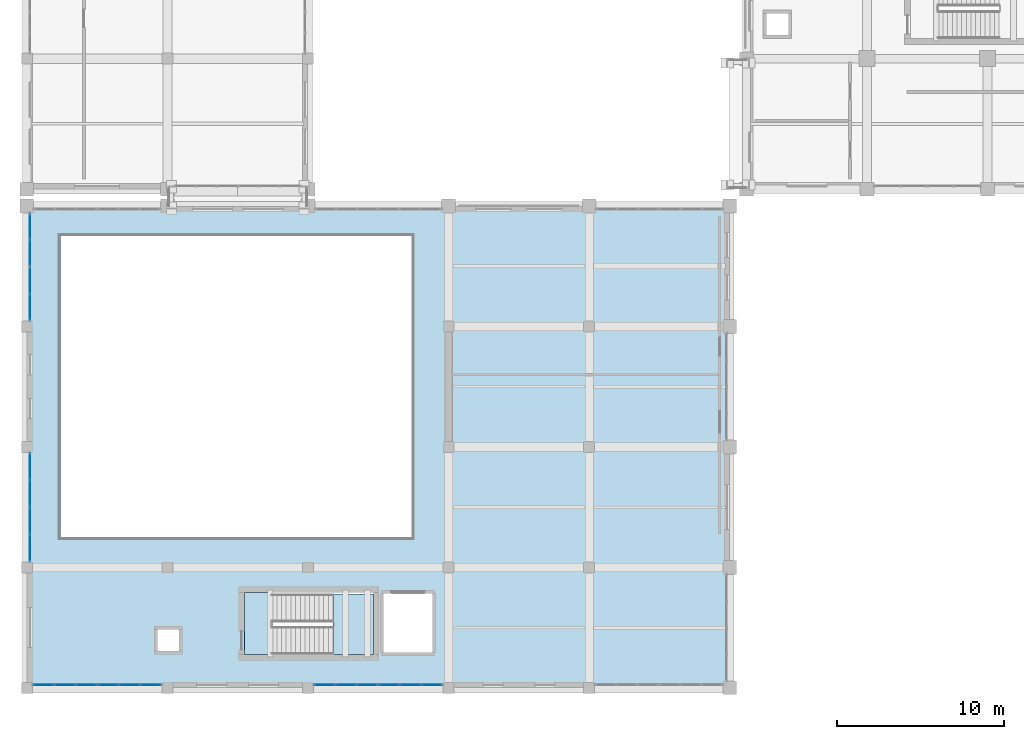
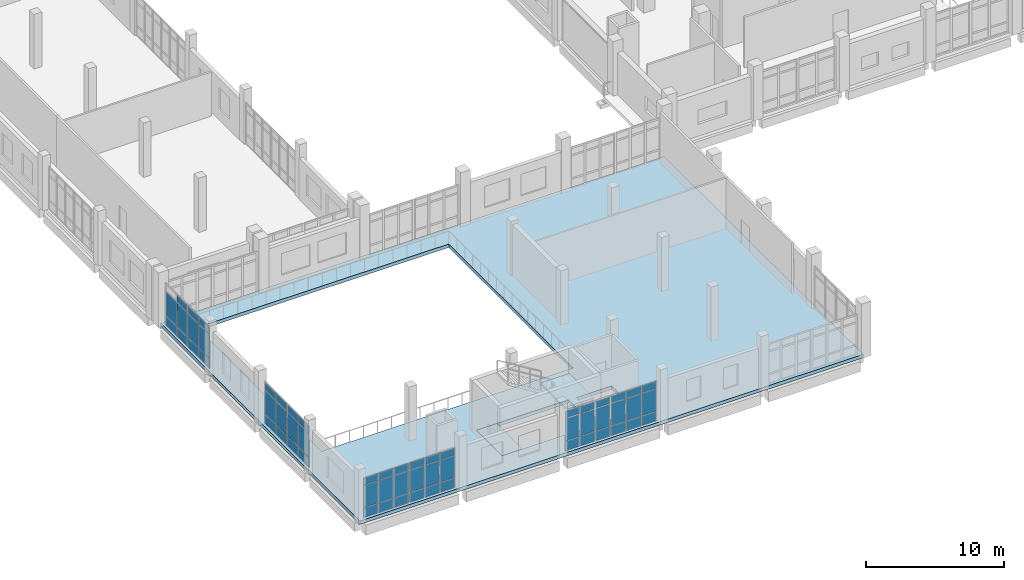
# One storey, part 46 of 90: 59 plates, 3 slabs, 9 elements without a shape of their own.
"""IFC4 building model written with IfcOpenShell, lengths in metres."""

from ifc_helpers import new_model, si_unit, direction, frame, origin, origin_2d, place, context, subcontext, project, spatial, polyline, rectangle, outline, extrude, material, layer, layer_set, type_object, element, aggregate, save


model = new_model("IFC4")

# Units and contexts
model_context = context("Model", 3, precision=1e-05, world=origin(), true_north=direction((0.0, 1.0)))
body_context = subcontext(model_context, "Body", "Model", "MODEL_VIEW")
ifc_project = project(units=[si_unit("LENGTHUNIT", "METRE"), si_unit("AREAUNIT", "SQUARE_METRE"), si_unit("VOLUMEUNIT", "CUBIC_METRE"), si_unit("PLANEANGLEUNIT", "RADIAN"), si_unit("MASSUNIT", "GRAM", prefix="KILO")], contexts=[model_context])

# Site, building, storey
site_placement = place(None, origin())
site = spatial("IfcSite", under=ifc_project, at=site_placement, CompositionType="ELEMENT")
building_placement = place(site_placement, origin())
building = spatial("IfcBuilding", under=site, at=building_placement, Name="Kelarvand Opera House", CompositionType="ELEMENT")
storey_placement = place(building_placement, frame((0.0, 0.0, 5.39990234375)))
storey = spatial("IfcBuildingStorey", under=building, at=storey_placement, Name="L01", CompositionType="ELEMENT", Elevation=5.39990234375)

# Slab
ifc_material_1 = material(Name="Concrete C35/45", Category="concrete")
ifc_layer_1 = layer(ifc_material_1, 0.219970703125, Name="Concrete C35/45", Category="concrete")
ifc_layer_set_1 = layer_set([ifc_layer_1], Name="Concrete C35/45")
slab_type_1 = type_object("IfcSlabType", Name="Core Stair Entry Landing Slab 220", PredefinedType="LANDING", material=ifc_layer_set_1)
slab_1_placement = place(storey_placement, frame((0.0, 0.0, -0.219970703125)))
element("IfcSlab", 1, at=slab_1_placement, inside=storey, type_object=slab_type_1, Name="C6 Stair Entry Landing L01", PredefinedType="LANDING", context=body_context, shape_type="SweptSolid", body=[
    extrude(outline(polyline([(22.0, 11.0), (23.719970703125, 11.0), (23.719970703125, 14.699951171875), (22.0, 14.699951171875), (22.0, 11.0)])), origin(), (0.0, 0.0, 1.0), 0.219970703125),
])

# Curtain wall, plates
ifc_material_2 = material(Name="Thermally broken aluminium and low-E glazing", Category="aluminium")
ifc_layer_2 = layer(ifc_material_2, 0.179931640625, Name="Thermally broken aluminium and low-E glazing", Category="aluminium")
ifc_layer_set_2 = layer_set([ifc_layer_2], Name="Thermally broken aluminium and low-E glazing")
curtain_wall_type_1 = type_object("IfcCurtainWallType", Name="Unitised Low-E Curtain Wall 3261x3750 Mod 1350 CWF-26", PredefinedType="USERDEFINED", material=ifc_layer_set_2)
curtain_wall_1_placement = place(storey_placement, origin())
curtain_wall_1 = element("IfcCurtainWall", 2, at=curtain_wall_1_placement, inside=storey, type_object=curtain_wall_type_1, Name="V4 L01 Curtain Wall CWF-26 (119)", ObjectType="UNITISED CURTAIN WALL", PredefinedType="USERDEFINED")
ifc_material_3 = material(Name="Low-E laminated double glazing", Category="glass")
ifc_layer_3 = layer(ifc_material_3, 0.031982421875, Name="Low-E laminated double glazing", Category="glass")
ifc_layer_set_3 = layer_set([ifc_layer_3], Name="Low-E laminated double glazing")
plate_type = type_object("IfcPlateType", Name="Low-E Argon Double Glazed Curtain Panel 32mm", PredefinedType="CURTAIN_PANEL", material=ifc_layer_set_3)
plate_1_placement = place(storey_placement, frame((9.179931640625, 17.366455078125, 0.06494140625), z_axis=(0.0, 0.0, 1.0), x_axis=(0.0, 1.0, 0.0)))
plate_1 = element("IfcPlate", 3, at=plate_1_placement, type_object=plate_type, Name="CWF-26 panel 1.1", PredefinedType="CURTAIN_PANEL", context=body_context, shape_type="SweptSolid", body=[
    extrude(rectangle(XDim=1.532958984375, YDim=0.031982421875, at=origin_2d()), origin(), (0.0, 0.0, 1.0), 0.802490234375),
])
plate_2_placement = place(storey_placement, frame((9.179931640625, 17.366455078125, 0.9326171875), z_axis=(0.0, 0.0, 1.0), x_axis=(0.0, 1.0, 0.0)))
plate_2 = element("IfcPlate", 4, at=plate_2_placement, type_object=plate_type, Name="CWF-26 panel 1.2", PredefinedType="CURTAIN_PANEL", context=body_context, shape_type="SweptSolid", body=[
    extrude(rectangle(XDim=1.532958984375, YDim=0.031982421875, at=origin_2d()), origin(), (0.0, 0.0, 1.0), 2.0849609375),
])
plate_3_placement = place(storey_placement, frame((9.179931640625, 17.366455078125, 3.08251953125), z_axis=(0.0, 0.0, 1.0), x_axis=(0.0, 1.0, 0.0)))
plate_3 = element("IfcPlate", 5, at=plate_3_placement, type_object=plate_type, Name="CWF-26 panel 1.3", PredefinedType="CURTAIN_PANEL", context=body_context, shape_type="SweptSolid", body=[
    extrude(rectangle(XDim=1.532958984375, YDim=0.031982421875, at=origin_2d()), origin(), (0.0, 0.0, 1.0), 0.6025390625),
])
plate_4_placement = place(storey_placement, frame((9.179931640625, 18.964599609375, 0.06494140625), z_axis=(0.0, 0.0, 1.0), x_axis=(0.0, 1.0, 0.0)))
plate_4 = element("IfcPlate", 6, at=plate_4_placement, type_object=plate_type, Name="CWF-26 panel 2.1", PredefinedType="CURTAIN_PANEL", context=body_context, shape_type="SweptSolid", body=[
    extrude(rectangle(XDim=1.532958984375, YDim=0.031982421875, at=origin_2d()), origin(), (0.0, 0.0, 1.0), 0.802490234375),
])
plate_5_placement = place(storey_placement, frame((9.179931640625, 18.964599609375, 0.9326171875), z_axis=(0.0, 0.0, 1.0), x_axis=(0.0, 1.0, 0.0)))
plate_5 = element("IfcPlate", 7, at=plate_5_placement, type_object=plate_type, Name="CWF-26 panel 2.2", PredefinedType="CURTAIN_PANEL", context=body_context, shape_type="SweptSolid", body=[
    extrude(rectangle(XDim=1.532958984375, YDim=0.031982421875, at=origin_2d()), origin(), (0.0, 0.0, 1.0), 2.0849609375),
])
plate_6_placement = place(storey_placement, frame((9.179931640625, 18.964599609375, 3.08251953125), z_axis=(0.0, 0.0, 1.0), x_axis=(0.0, 1.0, 0.0)))
plate_6 = element("IfcPlate", 8, at=plate_6_placement, type_object=plate_type, Name="CWF-26 panel 2.3", PredefinedType="CURTAIN_PANEL", context=body_context, shape_type="SweptSolid", body=[
    extrude(rectangle(XDim=1.532958984375, YDim=0.031982421875, at=origin_2d()), origin(), (0.0, 0.0, 1.0), 0.6025390625),
])
aggregate(curtain_wall_1, [plate_1, plate_2, plate_3, plate_4, plate_5, plate_6])

curtain_wall_2_placement = place(storey_placement, origin())
curtain_wall_2 = element("IfcCurtainWall", 9, at=curtain_wall_2_placement, inside=storey, type_object=curtain_wall_type_1, Name="V4 L01 Curtain Wall CWF-26 (120)", ObjectType="UNITISED CURTAIN WALL", PredefinedType="USERDEFINED")
plate_7_placement = place(storey_placement, frame((9.179931640625, 20.632568359375, 0.06494140625), z_axis=(0.0, 0.0, 1.0), x_axis=(0.0, 1.0, 0.0)))
plate_7 = element("IfcPlate", 10, at=plate_7_placement, type_object=plate_type, Name="CWF-26 panel 1.1", PredefinedType="CURTAIN_PANEL", context=body_context, shape_type="SweptSolid", body=[
    extrude(rectangle(XDim=1.534912109375, YDim=0.031982421875, at=origin_2d()), origin(), (0.0, 0.0, 1.0), 0.802490234375),
])
plate_8_placement = place(storey_placement, frame((9.179931640625, 20.632568359375, 0.9326171875), z_axis=(0.0, 0.0, 1.0), x_axis=(0.0, 1.0, 0.0)))
plate_8 = element("IfcPlate", 11, at=plate_8_placement, type_object=plate_type, Name="CWF-26 panel 1.2", PredefinedType="CURTAIN_PANEL", context=body_context, shape_type="SweptSolid", body=[
    extrude(rectangle(XDim=1.534912109375, YDim=0.031982421875, at=origin_2d()), origin(), (0.0, 0.0, 1.0), 2.0849609375),
])
plate_9_placement = place(storey_placement, frame((9.179931640625, 20.632568359375, 3.08251953125), z_axis=(0.0, 0.0, 1.0), x_axis=(0.0, 1.0, 0.0)))
plate_9 = element("IfcPlate", 12, at=plate_9_placement, type_object=plate_type, Name="CWF-26 panel 1.3", PredefinedType="CURTAIN_PANEL", context=body_context, shape_type="SweptSolid", body=[
    extrude(rectangle(XDim=1.534912109375, YDim=0.031982421875, at=origin_2d()), origin(), (0.0, 0.0, 1.0), 0.6025390625),
])
plate_10_placement = place(storey_placement, frame((9.179931640625, 22.232421875, 0.06494140625), z_axis=(0.0, 0.0, 1.0), x_axis=(0.0, 1.0, 0.0)))
plate_10 = element("IfcPlate", 13, at=plate_10_placement, type_object=plate_type, Name="CWF-26 panel 2.1", PredefinedType="CURTAIN_PANEL", context=body_context, shape_type="SweptSolid", body=[
    extrude(rectangle(XDim=1.534912109375, YDim=0.031982421875, at=origin_2d()), origin(), (0.0, 0.0, 1.0), 0.802490234375),
])
plate_11_placement = place(storey_placement, frame((9.179931640625, 22.232421875, 0.9326171875), z_axis=(0.0, 0.0, 1.0), x_axis=(0.0, 1.0, 0.0)))
plate_11 = element("IfcPlate", 14, at=plate_11_placement, type_object=plate_type, Name="CWF-26 panel 2.2", PredefinedType="CURTAIN_PANEL", context=body_context, shape_type="SweptSolid", body=[
    extrude(rectangle(XDim=1.534912109375, YDim=0.031982421875, at=origin_2d()), origin(), (0.0, 0.0, 1.0), 2.0849609375),
])
plate_12_placement = place(storey_placement, frame((9.179931640625, 22.232421875, 3.08251953125), z_axis=(0.0, 0.0, 1.0), x_axis=(0.0, 1.0, 0.0)))
plate_12 = element("IfcPlate", 15, at=plate_12_placement, type_object=plate_type, Name="CWF-26 panel 2.3", PredefinedType="CURTAIN_PANEL", context=body_context, shape_type="SweptSolid", body=[
    extrude(rectangle(XDim=1.534912109375, YDim=0.031982421875, at=origin_2d()), origin(), (0.0, 0.0, 1.0), 0.6025390625),
])
aggregate(curtain_wall_2, [plate_7, plate_8, plate_9, plate_10, plate_11, plate_12])

ifc_layer_4 = layer(ifc_material_2, 0.179931640625, Name="Thermally broken aluminium and low-E glazing", Category="aluminium")
ifc_layer_set_4 = layer_set([ifc_layer_4], Name="Thermally broken aluminium and low-E glazing")
curtain_wall_type_2 = type_object("IfcCurtainWallType", Name="Unitised Low-E Curtain Wall 3176x3730 Mod 1350 CWF-10", PredefinedType="USERDEFINED", material=ifc_layer_set_4)
curtain_wall_3_placement = place(storey_placement, origin())
curtain_wall_3 = element("IfcCurtainWall", 16, at=curtain_wall_3_placement, inside=storey, type_object=curtain_wall_type_2, Name="V4 L01 Curtain Wall CWF-10 (121)", ObjectType="UNITISED CURTAIN WALL", PredefinedType="USERDEFINED")
plate_13_placement = place(storey_placement, frame((9.179931640625, 31.755859375, 0.06494140625), z_axis=(0.0, 0.0, 1.0), x_axis=(0.0, 1.0, 0.0)))
plate_13 = element("IfcPlate", 17, at=plate_13_placement, type_object=plate_type, Name="CWF-10 panel 1.1", PredefinedType="CURTAIN_PANEL", context=body_context, shape_type="SweptSolid", body=[
    extrude(rectangle(XDim=1.51171875, YDim=0.031982421875, at=origin_2d()), origin(), (0.0, 0.0, 1.0), 0.802490234375),
])
plate_14_placement = place(storey_placement, frame((9.179931640625, 31.755859375, 0.9326171875), z_axis=(0.0, 0.0, 1.0), x_axis=(0.0, 1.0, 0.0)))
plate_14 = element("IfcPlate", 18, at=plate_14_placement, type_object=plate_type, Name="CWF-10 panel 1.2", PredefinedType="CURTAIN_PANEL", context=body_context, shape_type="SweptSolid", body=[
    extrude(rectangle(XDim=1.51171875, YDim=0.031982421875, at=origin_2d()), origin(), (0.0, 0.0, 1.0), 2.0849609375),
])
plate_15_placement = place(storey_placement, frame((9.179931640625, 31.755859375, 3.08251953125), z_axis=(0.0, 0.0, 1.0), x_axis=(0.0, 1.0, 0.0)))
plate_15 = element("IfcPlate", 19, at=plate_15_placement, type_object=plate_type, Name="CWF-10 panel 1.3", PredefinedType="CURTAIN_PANEL", context=body_context, shape_type="SweptSolid", body=[
    extrude(rectangle(XDim=1.51171875, YDim=0.031982421875, at=origin_2d()), origin(), (0.0, 0.0, 1.0), 0.6025390625),
])
plate_16_placement = place(storey_placement, frame((9.179931640625, 33.33251953125, 0.06494140625), z_axis=(0.0, 0.0, 1.0), x_axis=(0.0, 1.0, 0.0)))
plate_16 = element("IfcPlate", 20, at=plate_16_placement, type_object=plate_type, Name="CWF-10 panel 2.1", PredefinedType="CURTAIN_PANEL", context=body_context, shape_type="SweptSolid", body=[
    extrude(rectangle(XDim=1.51171875, YDim=0.031982421875, at=origin_2d()), origin(), (0.0, 0.0, 1.0), 0.802490234375),
])
plate_17_placement = place(storey_placement, frame((9.179931640625, 33.33251953125, 0.9326171875), z_axis=(0.0, 0.0, 1.0), x_axis=(0.0, 1.0, 0.0)))
plate_17 = element("IfcPlate", 21, at=plate_17_placement, type_object=plate_type, Name="CWF-10 panel 2.2", PredefinedType="CURTAIN_PANEL", context=body_context, shape_type="SweptSolid", body=[
    extrude(rectangle(XDim=1.51171875, YDim=0.031982421875, at=origin_2d()), origin(), (0.0, 0.0, 1.0), 2.0849609375),
])
plate_18_placement = place(storey_placement, frame((9.179931640625, 33.33251953125, 3.08251953125), z_axis=(0.0, 0.0, 1.0), x_axis=(0.0, 1.0, 0.0)))
plate_18 = element("IfcPlate", 22, at=plate_18_placement, type_object=plate_type, Name="CWF-10 panel 2.3", PredefinedType="CURTAIN_PANEL", context=body_context, shape_type="SweptSolid", body=[
    extrude(rectangle(XDim=1.51171875, YDim=0.031982421875, at=origin_2d()), origin(), (0.0, 0.0, 1.0), 0.6025390625),
])
aggregate(curtain_wall_3, [plate_13, plate_14, plate_15, plate_16, plate_17, plate_18])

curtain_wall_4_placement = place(storey_placement, origin())
curtain_wall_4 = element("IfcCurtainWall", 23, at=curtain_wall_4_placement, inside=storey, type_object=curtain_wall_type_2, Name="V4 L01 Curtain Wall CWF-10 (122)", ObjectType="UNITISED CURTAIN WALL", PredefinedType="USERDEFINED")
plate_19_placement = place(storey_placement, frame((9.179931640625, 34.9794921875, 0.06494140625), z_axis=(0.0, 0.0, 1.0), x_axis=(0.0, 1.0, 0.0)))
plate_19 = element("IfcPlate", 24, at=plate_19_placement, type_object=plate_type, Name="CWF-10 panel 1.1", PredefinedType="CURTAIN_PANEL", context=body_context, shape_type="SweptSolid", body=[
    extrude(rectangle(XDim=1.513671875, YDim=0.031982421875, at=origin_2d()), origin(), (0.0, 0.0, 1.0), 0.802490234375),
])
plate_20_placement = place(storey_placement, frame((9.179931640625, 34.9794921875, 0.9326171875), z_axis=(0.0, 0.0, 1.0), x_axis=(0.0, 1.0, 0.0)))
plate_20 = element("IfcPlate", 25, at=plate_20_placement, type_object=plate_type, Name="CWF-10 panel 1.2", PredefinedType="CURTAIN_PANEL", context=body_context, shape_type="SweptSolid", body=[
    extrude(rectangle(XDim=1.513671875, YDim=0.031982421875, at=origin_2d()), origin(), (0.0, 0.0, 1.0), 2.0849609375),
])
plate_21_placement = place(storey_placement, frame((9.179931640625, 34.9794921875, 3.08251953125), z_axis=(0.0, 0.0, 1.0), x_axis=(0.0, 1.0, 0.0)))
plate_21 = element("IfcPlate", 26, at=plate_21_placement, type_object=plate_type, Name="CWF-10 panel 1.3", PredefinedType="CURTAIN_PANEL", context=body_context, shape_type="SweptSolid", body=[
    extrude(rectangle(XDim=1.513671875, YDim=0.031982421875, at=origin_2d()), origin(), (0.0, 0.0, 1.0), 0.6025390625),
])
plate_22_placement = place(storey_placement, frame((9.179931640625, 36.55810546875, 0.06494140625), z_axis=(0.0, 0.0, 1.0), x_axis=(0.0, 1.0, 0.0)))
plate_22 = element("IfcPlate", 27, at=plate_22_placement, type_object=plate_type, Name="CWF-10 panel 2.1", PredefinedType="CURTAIN_PANEL", context=body_context, shape_type="SweptSolid", body=[
    extrude(rectangle(XDim=1.513671875, YDim=0.031982421875, at=origin_2d()), origin(), (0.0, 0.0, 1.0), 0.802490234375),
])
plate_23_placement = place(storey_placement, frame((9.179931640625, 36.55810546875, 0.9326171875), z_axis=(0.0, 0.0, 1.0), x_axis=(0.0, 1.0, 0.0)))
plate_23 = element("IfcPlate", 28, at=plate_23_placement, type_object=plate_type, Name="CWF-10 panel 2.2", PredefinedType="CURTAIN_PANEL", context=body_context, shape_type="SweptSolid", body=[
    extrude(rectangle(XDim=1.513671875, YDim=0.031982421875, at=origin_2d()), origin(), (0.0, 0.0, 1.0), 2.0849609375),
])
aggregate(curtain_wall_4, [plate_19, plate_20, plate_21, plate_22, plate_23])

ifc_layer_5 = layer(ifc_material_2, 0.179931640625, Name="Thermally broken aluminium and low-E glazing", Category="aluminium")
ifc_layer_set_5 = layer_set([ifc_layer_5], Name="Thermally broken aluminium and low-E glazing")
curtain_wall_type_3 = type_object("IfcCurtainWallType", Name="Unitised Low-E Curtain Wall 3861x3600 Mod 1350 CWF-17", PredefinedType="USERDEFINED", material=ifc_layer_set_5)
curtain_wall_5_placement = place(storey_placement, origin())
curtain_wall_5 = element("IfcCurtainWall", 29, at=curtain_wall_5_placement, inside=storey, type_object=curtain_wall_type_3, Name="V4 L01 Curtain Wall CWF-17 (135)", ObjectType="UNITISED CURTAIN WALL", PredefinedType="USERDEFINED")
plate_24_placement = place(storey_placement, frame((33.205322265625, 9.179931640625, 0.06494140625), z_axis=(0.0, 0.0, 1.0), x_axis=(-1.0, 0.0, 0.0)))
plate_24 = element("IfcPlate", 30, at=plate_24_placement, type_object=plate_type, Name="CWF-17 panel 1.1", PredefinedType="CURTAIN_PANEL", context=body_context, shape_type="SweptSolid", body=[
    extrude(rectangle(XDim=1.189453125, YDim=0.031982421875, at=origin_2d()), origin(), (0.0, 0.0, 1.0), 0.802490234375),
])
plate_25_placement = place(storey_placement, frame((33.205322265625, 9.179931640625, 0.9326171875), z_axis=(0.0, 0.0, 1.0), x_axis=(-1.0, 0.0, 0.0)))
plate_25 = element("IfcPlate", 31, at=plate_25_placement, type_object=plate_type, Name="CWF-17 panel 1.2", PredefinedType="CURTAIN_PANEL", context=body_context, shape_type="SweptSolid", body=[
    extrude(rectangle(XDim=1.189453125, YDim=0.031982421875, at=origin_2d()), origin(), (0.0, 0.0, 1.0), 1.93505859375),
])
plate_26_placement = place(storey_placement, frame((33.205322265625, 9.179931640625, 2.9326171875), z_axis=(0.0, 0.0, 1.0), x_axis=(-1.0, 0.0, 0.0)))
plate_26 = element("IfcPlate", 32, at=plate_26_placement, type_object=plate_type, Name="CWF-17 panel 1.3", PredefinedType="CURTAIN_PANEL", context=body_context, shape_type="SweptSolid", body=[
    extrude(rectangle(XDim=1.189453125, YDim=0.031982421875, at=origin_2d()), origin(), (0.0, 0.0, 1.0), 0.6025390625),
])
plate_27_placement = place(storey_placement, frame((31.9345703125, 9.179931640625, 0.06494140625), z_axis=(0.0, 0.0, 1.0), x_axis=(-1.0, 0.0, 0.0)))
plate_27 = element("IfcPlate", 33, at=plate_27_placement, type_object=plate_type, Name="CWF-17 panel 2.1", PredefinedType="CURTAIN_PANEL", context=body_context, shape_type="SweptSolid", body=[
    extrude(rectangle(XDim=1.221923828125, YDim=0.031982421875, at=origin_2d()), origin(), (0.0, 0.0, 1.0), 0.802490234375),
])
plate_28_placement = place(storey_placement, frame((31.9345703125, 9.179931640625, 0.9326171875), z_axis=(0.0, 0.0, 1.0), x_axis=(-1.0, 0.0, 0.0)))
plate_28 = element("IfcPlate", 34, at=plate_28_placement, type_object=plate_type, Name="CWF-17 panel 2.2", PredefinedType="CURTAIN_PANEL", context=body_context, shape_type="SweptSolid", body=[
    extrude(rectangle(XDim=1.221923828125, YDim=0.031982421875, at=origin_2d()), origin(), (0.0, 0.0, 1.0), 1.93505859375),
])
plate_29_placement = place(storey_placement, frame((31.9345703125, 9.179931640625, 2.9326171875), z_axis=(0.0, 0.0, 1.0), x_axis=(-1.0, 0.0, 0.0)))
plate_29 = element("IfcPlate", 35, at=plate_29_placement, type_object=plate_type, Name="CWF-17 panel 2.3", PredefinedType="CURTAIN_PANEL", context=body_context, shape_type="SweptSolid", body=[
    extrude(rectangle(XDim=1.221923828125, YDim=0.031982421875, at=origin_2d()), origin(), (0.0, 0.0, 1.0), 0.6025390625),
])
plate_30_placement = place(storey_placement, frame((30.663818359375, 9.179931640625, 0.06494140625), z_axis=(0.0, 0.0, 1.0), x_axis=(-1.0, 0.0, 0.0)))
plate_30 = element("IfcPlate", 36, at=plate_30_placement, type_object=plate_type, Name="CWF-17 panel 3.1", PredefinedType="CURTAIN_PANEL", context=body_context, shape_type="SweptSolid", body=[
    extrude(rectangle(XDim=1.189453125, YDim=0.031982421875, at=origin_2d()), origin(), (0.0, 0.0, 1.0), 0.802490234375),
])
plate_31_placement = place(storey_placement, frame((30.663818359375, 9.179931640625, 0.9326171875), z_axis=(0.0, 0.0, 1.0), x_axis=(-1.0, 0.0, 0.0)))
plate_31 = element("IfcPlate", 37, at=plate_31_placement, type_object=plate_type, Name="CWF-17 panel 3.2", PredefinedType="CURTAIN_PANEL", context=body_context, shape_type="SweptSolid", body=[
    extrude(rectangle(XDim=1.189453125, YDim=0.031982421875, at=origin_2d()), origin(), (0.0, 0.0, 1.0), 1.93505859375),
])
plate_32_placement = place(storey_placement, frame((30.663818359375, 9.179931640625, 2.9326171875), z_axis=(0.0, 0.0, 1.0), x_axis=(-1.0, 0.0, 0.0)))
plate_32 = element("IfcPlate", 38, at=plate_32_placement, type_object=plate_type, Name="CWF-17 panel 3.3", PredefinedType="CURTAIN_PANEL", context=body_context, shape_type="SweptSolid", body=[
    extrude(rectangle(XDim=1.189453125, YDim=0.031982421875, at=origin_2d()), origin(), (0.0, 0.0, 1.0), 0.6025390625),
])
aggregate(curtain_wall_5, [plate_24, plate_25, plate_26, plate_27, plate_28, plate_29, plate_30, plate_31, plate_32])

curtain_wall_6_placement = place(storey_placement, origin())
curtain_wall_6 = element("IfcCurtainWall", 39, at=curtain_wall_6_placement, inside=storey, type_object=curtain_wall_type_3, Name="V4 L01 Curtain Wall CWF-17 (136)", ObjectType="UNITISED CURTAIN WALL", PredefinedType="USERDEFINED")
plate_33_placement = place(storey_placement, frame((29.339599609375, 9.179931640625, 0.06494140625), z_axis=(0.0, 0.0, 1.0), x_axis=(-1.0, 0.0, 0.0)))
plate_33 = element("IfcPlate", 40, at=plate_33_placement, type_object=plate_type, Name="CWF-17 panel 1.1", PredefinedType="CURTAIN_PANEL", context=body_context, shape_type="SweptSolid", body=[
    extrude(rectangle(XDim=1.19091796875, YDim=0.031982421875, at=origin_2d()), origin(), (0.0, 0.0, 1.0), 0.802490234375),
])
plate_34_placement = place(storey_placement, frame((29.339599609375, 9.179931640625, 0.9326171875), z_axis=(0.0, 0.0, 1.0), x_axis=(-1.0, 0.0, 0.0)))
plate_34 = element("IfcPlate", 41, at=plate_34_placement, type_object=plate_type, Name="CWF-17 panel 1.2", PredefinedType="CURTAIN_PANEL", context=body_context, shape_type="SweptSolid", body=[
    extrude(rectangle(XDim=1.19091796875, YDim=0.031982421875, at=origin_2d()), origin(), (0.0, 0.0, 1.0), 1.93505859375),
])
plate_35_placement = place(storey_placement, frame((29.339599609375, 9.179931640625, 2.9326171875), z_axis=(0.0, 0.0, 1.0), x_axis=(-1.0, 0.0, 0.0)))
plate_35 = element("IfcPlate", 42, at=plate_35_placement, type_object=plate_type, Name="CWF-17 panel 1.3", PredefinedType="CURTAIN_PANEL", context=body_context, shape_type="SweptSolid", body=[
    extrude(rectangle(XDim=1.19091796875, YDim=0.031982421875, at=origin_2d()), origin(), (0.0, 0.0, 1.0), 0.6025390625),
])
plate_36_placement = place(storey_placement, frame((28.0673828125, 9.179931640625, 0.06494140625), z_axis=(0.0, 0.0, 1.0), x_axis=(-1.0, 0.0, 0.0)))
plate_36 = element("IfcPlate", 43, at=plate_36_placement, type_object=plate_type, Name="CWF-17 panel 2.1", PredefinedType="CURTAIN_PANEL", context=body_context, shape_type="SweptSolid", body=[
    extrude(rectangle(XDim=1.223388671875, YDim=0.031982421875, at=origin_2d()), origin(), (0.0, 0.0, 1.0), 0.802490234375),
])
plate_37_placement = place(storey_placement, frame((28.0673828125, 9.179931640625, 0.9326171875), z_axis=(0.0, 0.0, 1.0), x_axis=(-1.0, 0.0, 0.0)))
plate_37 = element("IfcPlate", 44, at=plate_37_placement, type_object=plate_type, Name="CWF-17 panel 2.2", PredefinedType="CURTAIN_PANEL", context=body_context, shape_type="SweptSolid", body=[
    extrude(rectangle(XDim=1.223388671875, YDim=0.031982421875, at=origin_2d()), origin(), (0.0, 0.0, 1.0), 1.93505859375),
])
plate_38_placement = place(storey_placement, frame((28.0673828125, 9.179931640625, 2.9326171875), z_axis=(0.0, 0.0, 1.0), x_axis=(-1.0, 0.0, 0.0)))
plate_38 = element("IfcPlate", 45, at=plate_38_placement, type_object=plate_type, Name="CWF-17 panel 2.3", PredefinedType="CURTAIN_PANEL", context=body_context, shape_type="SweptSolid", body=[
    extrude(rectangle(XDim=1.223388671875, YDim=0.031982421875, at=origin_2d()), origin(), (0.0, 0.0, 1.0), 0.6025390625),
])
plate_39_placement = place(storey_placement, frame((26.79541015625, 9.179931640625, 0.06494140625), z_axis=(0.0, 0.0, 1.0), x_axis=(-1.0, 0.0, 0.0)))
plate_39 = element("IfcPlate", 46, at=plate_39_placement, type_object=plate_type, Name="CWF-17 panel 3.1", PredefinedType="CURTAIN_PANEL", context=body_context, shape_type="SweptSolid", body=[
    extrude(rectangle(XDim=1.19091796875, YDim=0.031982421875, at=origin_2d()), origin(), (0.0, 0.0, 1.0), 0.802490234375),
])
plate_40_placement = place(storey_placement, frame((26.79541015625, 9.179931640625, 0.9326171875), z_axis=(0.0, 0.0, 1.0), x_axis=(-1.0, 0.0, 0.0)))
plate_40 = element("IfcPlate", 47, at=plate_40_placement, type_object=plate_type, Name="CWF-17 panel 3.2", PredefinedType="CURTAIN_PANEL", context=body_context, shape_type="SweptSolid", body=[
    extrude(rectangle(XDim=1.19091796875, YDim=0.031982421875, at=origin_2d()), origin(), (0.0, 0.0, 1.0), 1.93505859375),
])
plate_41_placement = place(storey_placement, frame((26.79541015625, 9.179931640625, 2.9326171875), z_axis=(0.0, 0.0, 1.0), x_axis=(-1.0, 0.0, 0.0)))
plate_41 = element("IfcPlate", 48, at=plate_41_placement, type_object=plate_type, Name="CWF-17 panel 3.3", PredefinedType="CURTAIN_PANEL", context=body_context, shape_type="SweptSolid", body=[
    extrude(rectangle(XDim=1.19091796875, YDim=0.031982421875, at=origin_2d()), origin(), (0.0, 0.0, 1.0), 0.6025390625),
])
aggregate(curtain_wall_6, [plate_33, plate_34, plate_35, plate_36, plate_37, plate_38, plate_39, plate_40, plate_41])

curtain_wall_7_placement = place(storey_placement, origin())
curtain_wall_7 = element("IfcCurtainWall", 49, at=curtain_wall_7_placement, inside=storey, type_object=curtain_wall_type_3, Name="V4 L01 Curtain Wall CWF-17 (137)", ObjectType="UNITISED CURTAIN WALL", PredefinedType="USERDEFINED")
plate_42_placement = place(storey_placement, frame((16.4052734375, 9.179931640625, 0.06494140625), z_axis=(0.0, 0.0, 1.0), x_axis=(-1.0, 0.0, 0.0)))
plate_42 = element("IfcPlate", 50, at=plate_42_placement, type_object=plate_type, Name="CWF-17 panel 1.1", PredefinedType="CURTAIN_PANEL", context=body_context, shape_type="SweptSolid", body=[
    extrude(rectangle(XDim=1.189453125, YDim=0.031982421875, at=origin_2d()), origin(), (0.0, 0.0, 1.0), 0.802490234375),
])
plate_43_placement = place(storey_placement, frame((16.4052734375, 9.179931640625, 0.9326171875), z_axis=(0.0, 0.0, 1.0), x_axis=(-1.0, 0.0, 0.0)))
plate_43 = element("IfcPlate", 51, at=plate_43_placement, type_object=plate_type, Name="CWF-17 panel 1.2", PredefinedType="CURTAIN_PANEL", context=body_context, shape_type="SweptSolid", body=[
    extrude(rectangle(XDim=1.189453125, YDim=0.031982421875, at=origin_2d()), origin(), (0.0, 0.0, 1.0), 1.93505859375),
])
plate_44_placement = place(storey_placement, frame((16.4052734375, 9.179931640625, 2.9326171875), z_axis=(0.0, 0.0, 1.0), x_axis=(-1.0, 0.0, 0.0)))
plate_44 = element("IfcPlate", 52, at=plate_44_placement, type_object=plate_type, Name="CWF-17 panel 1.3", PredefinedType="CURTAIN_PANEL", context=body_context, shape_type="SweptSolid", body=[
    extrude(rectangle(XDim=1.189453125, YDim=0.031982421875, at=origin_2d()), origin(), (0.0, 0.0, 1.0), 0.6025390625),
])
plate_45_placement = place(storey_placement, frame((15.134521484375, 9.179931640625, 0.06494140625), z_axis=(0.0, 0.0, 1.0), x_axis=(-1.0, 0.0, 0.0)))
plate_45 = element("IfcPlate", 53, at=plate_45_placement, type_object=plate_type, Name="CWF-17 panel 2.1", PredefinedType="CURTAIN_PANEL", context=body_context, shape_type="SweptSolid", body=[
    extrude(rectangle(XDim=1.221923828125, YDim=0.031982421875, at=origin_2d()), origin(), (0.0, 0.0, 1.0), 0.802490234375),
])
plate_46_placement = place(storey_placement, frame((15.134521484375, 9.179931640625, 0.9326171875), z_axis=(0.0, 0.0, 1.0), x_axis=(-1.0, 0.0, 0.0)))
plate_46 = element("IfcPlate", 54, at=plate_46_placement, type_object=plate_type, Name="CWF-17 panel 2.2", PredefinedType="CURTAIN_PANEL", context=body_context, shape_type="SweptSolid", body=[
    extrude(rectangle(XDim=1.221923828125, YDim=0.031982421875, at=origin_2d()), origin(), (0.0, 0.0, 1.0), 1.93505859375),
])
plate_47_placement = place(storey_placement, frame((15.134521484375, 9.179931640625, 2.9326171875), z_axis=(0.0, 0.0, 1.0), x_axis=(-1.0, 0.0, 0.0)))
plate_47 = element("IfcPlate", 55, at=plate_47_placement, type_object=plate_type, Name="CWF-17 panel 2.3", PredefinedType="CURTAIN_PANEL", context=body_context, shape_type="SweptSolid", body=[
    extrude(rectangle(XDim=1.221923828125, YDim=0.031982421875, at=origin_2d()), origin(), (0.0, 0.0, 1.0), 0.6025390625),
])
plate_48_placement = place(storey_placement, frame((13.86376953125, 9.179931640625, 0.06494140625), z_axis=(0.0, 0.0, 1.0), x_axis=(-1.0, 0.0, 0.0)))
plate_48 = element("IfcPlate", 56, at=plate_48_placement, type_object=plate_type, Name="CWF-17 panel 3.1", PredefinedType="CURTAIN_PANEL", context=body_context, shape_type="SweptSolid", body=[
    extrude(rectangle(XDim=1.189453125, YDim=0.031982421875, at=origin_2d()), origin(), (0.0, 0.0, 1.0), 0.802490234375),
])
plate_49_placement = place(storey_placement, frame((13.86376953125, 9.179931640625, 0.9326171875), z_axis=(0.0, 0.0, 1.0), x_axis=(-1.0, 0.0, 0.0)))
plate_49 = element("IfcPlate", 57, at=plate_49_placement, type_object=plate_type, Name="CWF-17 panel 3.2", PredefinedType="CURTAIN_PANEL", context=body_context, shape_type="SweptSolid", body=[
    extrude(rectangle(XDim=1.189453125, YDim=0.031982421875, at=origin_2d()), origin(), (0.0, 0.0, 1.0), 1.93505859375),
])
plate_50_placement = place(storey_placement, frame((13.86376953125, 9.179931640625, 2.9326171875), z_axis=(0.0, 0.0, 1.0), x_axis=(-1.0, 0.0, 0.0)))
plate_50 = element("IfcPlate", 58, at=plate_50_placement, type_object=plate_type, Name="CWF-17 panel 3.3", PredefinedType="CURTAIN_PANEL", context=body_context, shape_type="SweptSolid", body=[
    extrude(rectangle(XDim=1.189453125, YDim=0.031982421875, at=origin_2d()), origin(), (0.0, 0.0, 1.0), 0.6025390625),
])
aggregate(curtain_wall_7, [plate_42, plate_43, plate_44, plate_45, plate_46, plate_47, plate_48, plate_49, plate_50])

curtain_wall_8_placement = place(storey_placement, origin())
curtain_wall_8 = element("IfcCurtainWall", 59, at=curtain_wall_8_placement, inside=storey, type_object=curtain_wall_type_3, Name="V4 L01 Curtain Wall CWF-17 (138)", ObjectType="UNITISED CURTAIN WALL", PredefinedType="USERDEFINED")
plate_51_placement = place(storey_placement, frame((12.53955078125, 9.179931640625, 0.06494140625), z_axis=(0.0, 0.0, 1.0), x_axis=(-1.0, 0.0, 0.0)))
plate_51 = element("IfcPlate", 60, at=plate_51_placement, type_object=plate_type, Name="CWF-17 panel 1.1", PredefinedType="CURTAIN_PANEL", context=body_context, shape_type="SweptSolid", body=[
    extrude(rectangle(XDim=1.19091796875, YDim=0.031982421875, at=origin_2d()), origin(), (0.0, 0.0, 1.0), 0.802490234375),
])
plate_52_placement = place(storey_placement, frame((12.53955078125, 9.179931640625, 0.9326171875), z_axis=(0.0, 0.0, 1.0), x_axis=(-1.0, 0.0, 0.0)))
plate_52 = element("IfcPlate", 61, at=plate_52_placement, type_object=plate_type, Name="CWF-17 panel 1.2", PredefinedType="CURTAIN_PANEL", context=body_context, shape_type="SweptSolid", body=[
    extrude(rectangle(XDim=1.19091796875, YDim=0.031982421875, at=origin_2d()), origin(), (0.0, 0.0, 1.0), 1.93505859375),
])
plate_53_placement = place(storey_placement, frame((12.53955078125, 9.179931640625, 2.9326171875), z_axis=(0.0, 0.0, 1.0), x_axis=(-1.0, 0.0, 0.0)))
plate_53 = element("IfcPlate", 62, at=plate_53_placement, type_object=plate_type, Name="CWF-17 panel 1.3", PredefinedType="CURTAIN_PANEL", context=body_context, shape_type="SweptSolid", body=[
    extrude(rectangle(XDim=1.19091796875, YDim=0.031982421875, at=origin_2d()), origin(), (0.0, 0.0, 1.0), 0.6025390625),
])
plate_54_placement = place(storey_placement, frame((11.267578125, 9.179931640625, 0.06494140625), z_axis=(0.0, 0.0, 1.0), x_axis=(-1.0, 0.0, 0.0)))
plate_54 = element("IfcPlate", 63, at=plate_54_placement, type_object=plate_type, Name="CWF-17 panel 2.1", PredefinedType="CURTAIN_PANEL", context=body_context, shape_type="SweptSolid", body=[
    extrude(rectangle(XDim=1.223388671875, YDim=0.031982421875, at=origin_2d()), origin(), (0.0, 0.0, 1.0), 0.802490234375),
])
plate_55_placement = place(storey_placement, frame((11.267578125, 9.179931640625, 0.9326171875), z_axis=(0.0, 0.0, 1.0), x_axis=(-1.0, 0.0, 0.0)))
plate_55 = element("IfcPlate", 64, at=plate_55_placement, type_object=plate_type, Name="CWF-17 panel 2.2", PredefinedType="CURTAIN_PANEL", context=body_context, shape_type="SweptSolid", body=[
    extrude(rectangle(XDim=1.223388671875, YDim=0.031982421875, at=origin_2d()), origin(), (0.0, 0.0, 1.0), 1.93505859375),
])
plate_56_placement = place(storey_placement, frame((11.267578125, 9.179931640625, 2.9326171875), z_axis=(0.0, 0.0, 1.0), x_axis=(-1.0, 0.0, 0.0)))
plate_56 = element("IfcPlate", 65, at=plate_56_placement, type_object=plate_type, Name="CWF-17 panel 2.3", PredefinedType="CURTAIN_PANEL", context=body_context, shape_type="SweptSolid", body=[
    extrude(rectangle(XDim=1.223388671875, YDim=0.031982421875, at=origin_2d()), origin(), (0.0, 0.0, 1.0), 0.6025390625),
])
plate_57_placement = place(storey_placement, frame((9.995361328125, 9.179931640625, 0.06494140625), z_axis=(0.0, 0.0, 1.0), x_axis=(-1.0, 0.0, 0.0)))
plate_57 = element("IfcPlate", 66, at=plate_57_placement, type_object=plate_type, Name="CWF-17 panel 3.1", PredefinedType="CURTAIN_PANEL", context=body_context, shape_type="SweptSolid", body=[
    extrude(rectangle(XDim=1.19091796875, YDim=0.031982421875, at=origin_2d()), origin(), (0.0, 0.0, 1.0), 0.802490234375),
])
plate_58_placement = place(storey_placement, frame((9.995361328125, 9.179931640625, 0.9326171875), z_axis=(0.0, 0.0, 1.0), x_axis=(-1.0, 0.0, 0.0)))
plate_58 = element("IfcPlate", 67, at=plate_58_placement, type_object=plate_type, Name="CWF-17 panel 3.2", PredefinedType="CURTAIN_PANEL", context=body_context, shape_type="SweptSolid", body=[
    extrude(rectangle(XDim=1.19091796875, YDim=0.031982421875, at=origin_2d()), origin(), (0.0, 0.0, 1.0), 1.93505859375),
])
plate_59_placement = place(storey_placement, frame((9.995361328125, 9.179931640625, 2.9326171875), z_axis=(0.0, 0.0, 1.0), x_axis=(-1.0, 0.0, 0.0)))
plate_59 = element("IfcPlate", 68, at=plate_59_placement, type_object=plate_type, Name="CWF-17 panel 3.3", PredefinedType="CURTAIN_PANEL", context=body_context, shape_type="SweptSolid", body=[
    extrude(rectangle(XDim=1.19091796875, YDim=0.031982421875, at=origin_2d()), origin(), (0.0, 0.0, 1.0), 0.6025390625),
])
aggregate(curtain_wall_8, [plate_51, plate_52, plate_53, plate_54, plate_55, plate_56, plate_57, plate_58, plate_59])

# Stair, slab
stair_type = type_object("IfcStairType", Name="Dogleg Concrete Exit Stair 1660mm 28R STA-01", PredefinedType="HALF_TURN_STAIR", material=ifc_material_1)
stair_placement = place(storey_placement, origin())
stair = element("IfcStair", 69, at=stair_placement, inside=storey, type_object=stair_type, Name="L01 Scenery Workshop and Freight Core C6 Stair ST-06", PredefinedType="HALF_TURN_STAIR")
ifc_layer_6 = layer(ifc_material_1, 0.199951171875, Name="Concrete C35/45", Category="concrete")
ifc_layer_set_6 = layer_set([ifc_layer_6], Name="Concrete C35/45")
slab_type_2 = type_object("IfcSlabType", Name="Precast Stair Half-Landing Slab 200", PredefinedType="LANDING", material=ifc_layer_set_6)
slab_2_placement = place(storey_placement, frame((0.0, 0.0, 2.2001953125)))
slab_2 = element("IfcSlab", 70, at=slab_2_placement, type_object=slab_type_2, Name="ST-06 landing 1", PredefinedType="LANDING", context=body_context, shape_type="SweptSolid", body=[
    extrude(outline(polyline([(27.300048828125, 11.0), (29.699951171875, 11.0), (29.699951171875, 14.60009765625), (27.300048828125, 14.60009765625), (27.300048828125, 11.0)])), origin(), (0.0, 0.0, 1.0), 0.199951171875),
])
aggregate(stair, [slab_2])

# Slab
ifc_layer_7 = layer(ifc_material_1, 0.300048828125, Name="Concrete C35/45", Category="concrete")
ifc_layer_set_7 = layer_set([ifc_layer_7], Name="Concrete C35/45")
slab_type_3 = type_object("IfcSlabType", Name="Suspended Floor Slab 300", PredefinedType="FLOOR", material=ifc_layer_set_7)
slab_3_placement = place(storey_placement, frame((0.0, 0.0, -0.2998046875)))
element("IfcSlab", 71, at=slab_3_placement, inside=storey, type_object=slab_type_3, Name="V4 L01 Structural Slab 30", PredefinedType="FLOOR", context=body_context, shape_type="SweptSolid", body=[
    extrude(outline(polyline([(9.0, 9.0), (9.0, 37.800048828125), (51.0, 37.800048828125), (51.0, 9.0), (9.0, 9.0)]), holes=[polyline([(16.800048828125, 12.5), (18.10009765625, 12.5), (18.10009765625, 11.199951171875), (16.800048828125, 11.199951171875), (16.800048828125, 12.5)]), polyline([(22.0, 14.699951171875), (29.699951171875, 14.699951171875), (29.699951171875, 11.0), (22.0, 11.0), (22.0, 14.699951171875)]), polyline([(30.300048828125, 14.64990234375), (33.25, 14.64990234375), (33.25, 11.10009765625), (30.300048828125, 11.10009765625), (30.300048828125, 14.64990234375)]), polyline([(11.0, 36.0), (32.0, 36.0), (32.0, 18.0), (11.0, 18.0), (11.0, 36.0)])]), origin(), (0.0, 0.0, 1.0), 0.2998046875),
])

save(model, "model.ifc")
